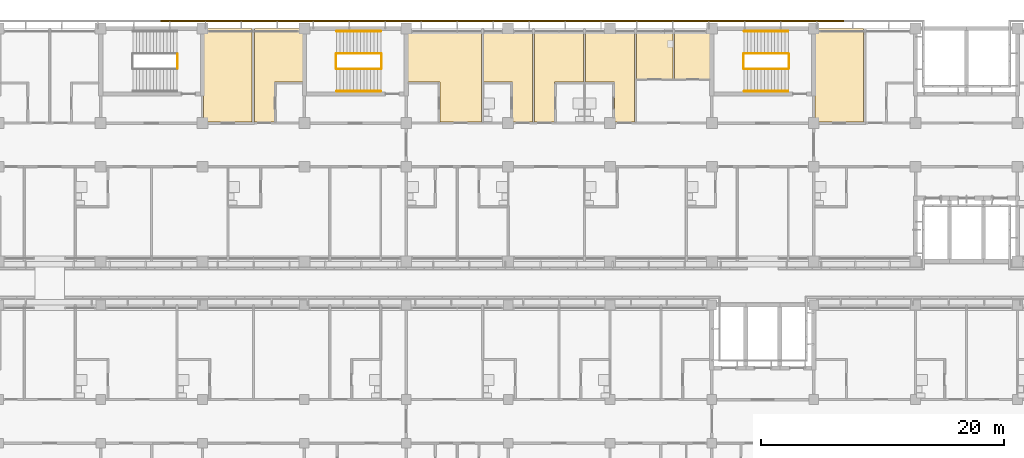
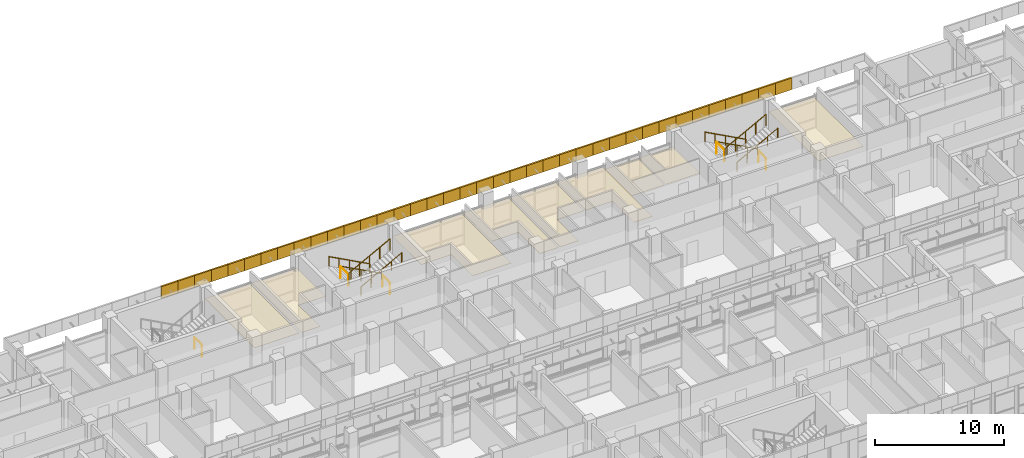
# One storey, part 135 of 137: 47 coverings, 13 railings.
"""IFC4 building model written with IfcOpenShell, lengths in metres."""

import ifcopenshell
import ifcopenshell.guid

model = None  # the IFC model being written
_history = None  # IfcOwnerHistory: only IFC2X3 demands one
_inside = {}  # id of a spatial element -> (the spatial element, [elements in it])
_under = {}  # id of a project, library or spatial element -> (it, [spatial elements below it])
_declared = {}  # id of a project -> (the project, [libraries it declares])
_typed = {}  # id of a type object -> (the type object, [elements of that type])
_made_of = {}  # id of a material, layer set ... -> (it, [elements and type objects made of it])


def new_model(schema):
    """Start an empty IFC model of exactly this schema.

    Asked for "IFC4X3", IfcOpenShell would pick the latest addendum, in which some entities
    have other attributes; the version numbers below select the first issue.
    IFC2X3 requires an IfcOwnerHistory on every rooted entity: one is made here for all.
    """
    global model, _history
    if schema == "IFC4X3":
        model = ifcopenshell.file(schema_version=(4, 3, 0, 0))
    else:
        model = ifcopenshell.file(schema=schema)
    _inside.clear()
    _under.clear()
    _declared.clear()
    _typed.clear()
    _made_of.clear()
    _history = None
    if model.schema == "IFC2X3":
        org = make("IfcOrganization", Name="unknown")
        user = make(
            "IfcPersonAndOrganization",
            ThePerson=make("IfcPerson", FamilyName="unknown"),
            TheOrganization=org,
        )
        app = make(
            "IfcApplication",
            ApplicationDeveloper=org,
            Version="unknown",
            ApplicationFullName="unknown",
            ApplicationIdentifier="unknown",
        )
        _history = make(
            "IfcOwnerHistory",
            OwningUser=user,
            OwningApplication=app,
            ChangeAction="ADDED",
            CreationDate=0,
        )
    return model


def make(cls, **values):
    """One entity of the class cls with the attributes given. An attribute that is None is left unset."""
    return model.create_entity(
        cls, **{name: value for name, value in values.items() if value is not None}
    )


def rooted(cls, **values):
    """An entity with a GlobalId (a new one), such as an element, a storey or a relation."""
    return make(cls, GlobalId=ifcopenshell.guid.new(), OwnerHistory=_history, **values)


def si_unit(unit_type, name, prefix=None):
    """IfcSIUnit, for example si_unit("LENGTHUNIT", "METRE", prefix="MILLI")."""
    return make("IfcSIUnit", UnitType=unit_type, Prefix=prefix, Name=name)


def assignment(units):
    """IfcUnitAssignment: the units of a project."""
    return None if units is None else make("IfcUnitAssignment", Units=units)


def point(xyz):
    """IfcCartesianPoint."""
    return None if xyz is None else make("IfcCartesianPoint", Coordinates=xyz)


def direction(xyz):
    """IfcDirection."""
    return None if xyz is None else make("IfcDirection", DirectionRatios=xyz)


def frame(location, z_axis=None, x_axis=None):
    """IfcAxis2Placement3D, a coordinate frame: its origin and axes. An axis left out is left unset."""
    return make(
        "IfcAxis2Placement3D",
        Location=point(location),
        Axis=direction(z_axis),
        RefDirection=direction(x_axis),
    )


def frame_2d(location, x_axis=None):
    """IfcAxis2Placement2D, a coordinate frame in the plane: its origin and x axis."""
    return make(
        "IfcAxis2Placement2D", Location=point(location), RefDirection=direction(x_axis)
    )


def origin():
    """The frame at (0, 0, 0) with its axes left unset."""
    return frame((0.0, 0.0, 0.0))


def origin_2d():
    """The frame at (0, 0) in the plane with its x axis left unset."""
    return frame_2d((0.0, 0.0))


def place(relative_to, where):
    """IfcLocalPlacement: puts the frame where relative to a parent placement (None: the world)."""
    return make(
        "IfcLocalPlacement", PlacementRelTo=relative_to, RelativePlacement=where
    )


def context(
    kind, dimensions, precision=None, world=None, true_north=None, identifier=None
):
    """IfcGeometricRepresentationContext, for example the 3D "Model" context."""
    return make(
        "IfcGeometricRepresentationContext",
        ContextIdentifier=identifier,
        ContextType=kind,
        CoordinateSpaceDimension=dimensions,
        Precision=precision,
        WorldCoordinateSystem=world,
        TrueNorth=true_north,
    )


def subcontext(parent, identifier, kind, view, scale=None):
    """IfcGeometricRepresentationSubContext, for example "Body" below "Model"."""
    return make(
        "IfcGeometricRepresentationSubContext",
        ContextIdentifier=identifier,
        ContextType=kind,
        ParentContext=parent,
        TargetScale=scale,
        TargetView=view,
    )


def project(units=None, contexts=None):
    """IfcProject with its units and contexts."""
    return rooted(
        "IfcProject",
        Name="project",
        RepresentationContexts=contexts,
        UnitsInContext=assignment(units),
    )


def spatial(cls, under=None, at=None, **own):
    """A site, building, storey or space (cls), placed at a placement, below another one or the project."""
    s = rooted(cls, ObjectPlacement=at, **own)
    if under is not None:
        _under.setdefault(under.id(), (under, []))[1].append(s)
    return s


def polyline(points):
    """IfcPolyline through the points."""
    return make("IfcPolyline", Points=[point(p) for p in points])


def profile(cls, at=None, kind="AREA", **sizes):
    """A parametric profile (cls). Its sizes go by their IFC names, for example OverallWidth=200.0."""
    return make(cls, ProfileType=kind, Position=at, **sizes)


def circle(**sizes):
    """IfcCircleProfileDef."""
    return profile("IfcCircleProfileDef", **sizes)


def outline(outer, holes=None, kind="AREA"):
    """IfcArbitraryClosedProfileDef: a profile drawn as a closed curve; with holes, ...WithVoids."""
    if holes is None:
        return make("IfcArbitraryClosedProfileDef", ProfileType=kind, OuterCurve=outer)
    return make(
        "IfcArbitraryProfileDefWithVoids",
        ProfileType=kind,
        OuterCurve=outer,
        InnerCurves=holes,
    )


def extrude(swept, where, along, depth):
    """IfcExtrudedAreaSolid: the profile swept, set in the frame where, extruded along a direction by depth."""
    return make(
        "IfcExtrudedAreaSolid",
        SweptArea=swept,
        Position=where,
        ExtrudedDirection=direction(along),
        Depth=depth,
    )


def shape(context_of_items, identifier, shape_type, items):
    """IfcShapeRepresentation: the items that make up one representation, for example the "Body"."""
    return make(
        "IfcShapeRepresentation",
        ContextOfItems=context_of_items,
        RepresentationIdentifier=identifier,
        RepresentationType=shape_type,
        Items=items,
    )


def material(Name=None, Category=None):
    """IfcMaterial."""
    return make("IfcMaterial", Name=Name, Category=Category)


def layer(
    of_material, thickness, ventilated=None, Name=None, Category=None, Priority=None
):
    """IfcMaterialLayer: one layer of a wall or slab, of a material (None: an air gap)."""
    return make(
        "IfcMaterialLayer",
        Material=of_material,
        LayerThickness=thickness,
        IsVentilated=ventilated,
        Name=Name,
        Category=Category,
        Priority=Priority,
    )


def layer_set(layers, Name=None):
    """IfcMaterialLayerSet."""
    return make("IfcMaterialLayerSet", MaterialLayers=layers, LayerSetName=Name)


def made_of(thing, what):
    """Note that an element or type object is made of a material, layer set ...; save() writes the relation."""
    if what is not None:
        _made_of.setdefault(what.id(), (what, []))[1].append(thing)
    return thing


def type_object(cls, material=None, **own):
    """A type object (cls), such as IfcWallType, which elements share."""
    return made_of(rooted(cls, **own), material)


def element(
    cls,
    number,
    at=None,
    inside=None,
    cuts=None,
    type_object=None,
    material=None,
    context=None,
    identifier="Body",
    shape_type=None,
    held_by="IfcProductDefinitionShape",
    body=None,
    shapes=None,
    **own,
):
    """One element of the class cls, such as IfcWall. Its Tag is "e" and its number.

    at: its placement. inside: the storey or other place that contains it. cuts: it is an
    opening in that element (IfcRelVoidsElement). A single representation is given by context,
    identifier, shape_type and body (its items); several are given by shapes. held_by: the class
    of the entity that holds the representations. save() writes the other relations.
    """
    e = rooted(cls, Tag="e%d" % number, ObjectPlacement=at, **own)
    if body is not None:
        shapes = [shape(context, identifier, shape_type, body)]
    if shapes is not None:
        e.Representation = make(held_by, Representations=shapes)
    if inside is not None:
        _inside.setdefault(inside.id(), (inside, []))[1].append(e)
    if cuts is not None:
        rooted(
            "IfcRelVoidsElement", RelatingBuildingElement=cuts, RelatedOpeningElement=e
        )
    if type_object is not None:
        _typed.setdefault(type_object.id(), (type_object, []))[1].append(e)
    return made_of(e, material)


def aggregate(whole, parts):
    """IfcRelAggregates: a whole, such as a stair, and the parts it consists of."""
    return rooted("IfcRelAggregates", RelatingObject=whole, RelatedObjects=parts)


def save(model, path):
    """Write the relations noted so far, then the file.

    IfcRelAggregates (storeys below a building ...), IfcRelContainedInSpatialStructure (elements
    in a storey), IfcRelDefinesByType, IfcRelAssociatesMaterial and IfcRelDeclares: one each for
    every whole, place, type object, material and project.
    """
    for whole, parts in _under.values():
        aggregate(whole, parts)
    for where, things in _inside.values():
        rooted(
            "IfcRelContainedInSpatialStructure",
            RelatedElements=things,
            RelatingStructure=where,
        )
    for kind, things in _typed.values():
        rooted("IfcRelDefinesByType", RelatedObjects=things, RelatingType=kind)
    for what, things in _made_of.values():
        rooted("IfcRelAssociatesMaterial", RelatedObjects=things, RelatingMaterial=what)
    for by, libraries in _declared.values():
        rooted("IfcRelDeclares", RelatingContext=by, RelatedDefinitions=libraries)
    model.write(path)


model = new_model("IFC4")

# Units and contexts
model_context = context("Model", 3, precision=1e-05, world=origin(), true_north=direction((0.0, 1.0)))
body_context = subcontext(model_context, "Body", "Model", "MODEL_VIEW")
ifc_project = project(units=[si_unit("LENGTHUNIT", "METRE"), si_unit("AREAUNIT", "SQUARE_METRE"), si_unit("VOLUMEUNIT", "CUBIC_METRE"), si_unit("PLANEANGLEUNIT", "RADIAN"), si_unit("MASSUNIT", "GRAM", prefix="KILO")], contexts=[model_context])

# Site, building, storey
site_placement = place(None, origin())
site = spatial("IfcSite", under=ifc_project, at=site_placement, CompositionType="ELEMENT")
building_placement = place(site_placement, origin())
building = spatial("IfcBuilding", under=site, at=building_placement, Name="Bougainvillea Quay General Hospital", CompositionType="ELEMENT")
storey_placement = place(building_placement, frame((0.0, 0.0, 16.800048828125)))
storey = spatial("IfcBuildingStorey", under=building, at=storey_placement, Name="L03", CompositionType="ELEMENT", Elevation=16.800048828125)

# Coverings
ifc_material_1 = material(Name="Powder-coated aluminium fascia, white", Category="aluminium")
ifc_layer_1 = layer(ifc_material_1, 0.14990234375)
ifc_layer_set_1 = layer_set([ifc_layer_1], Name="Powder-coated aluminium fascia, white")
covering_type_1 = type_object("IfcCoveringType", Name="Aluminium fascia band white 150x1100", PredefinedType="CLADDING", material=ifc_layer_set_1)
covering_1_placement = place(storey_placement, frame((145.2705078125, 160.14990234375, 3.64990234375), z_axis=(0.0, 0.0, 1.0), x_axis=(-1.0, 0.0, 0.0)))
element("IfcCovering", 1, at=covering_1_placement, inside=storey, type_object=covering_type_1, Name="Fascia band white e0 88", PredefinedType="CLADDING", context=body_context, shape_type="SweptSolid", body=[
    extrude(outline(polyline([(0.0, 0.0), (1.482177734375, 0.0), (1.482177734375, -0.150146484375), (0.0, -0.150146484375), (0.0, 0.0)])), origin(), (0.0, 0.0, 1.0), 1.10009765625),
])
for number, where, z_axis, x_axis, name in (
    (2, (143.788330078125, 160.14990234375, 3.64990234375), (0.0, 0.0, 1.0), (-1.0, 0.0, 0.0), "Fascia band white e0 89"),
    (3, (142.305908203125, 160.14990234375, 3.64990234375), (0.0, 0.0, 1.0), (-1.0, 0.0, 0.0), "Fascia band white e0 90"),
    (4, (140.823486328125, 160.14990234375, 3.64990234375), (0.0, 0.0, 1.0), (-1.0, 0.0, 0.0), "Fascia band white e0 91"),
):
    element("IfcCovering", number, at=place(storey_placement, frame(where, z_axis=z_axis, x_axis=x_axis)), inside=storey, type_object=covering_type_1, Name=name, PredefinedType="CLADDING", context=body_context, shape_type="SweptSolid", body=[
        extrude(outline(polyline([(0.0, 0.0), (1.482421875, 0.0), (1.482421875, -0.150146484375), (0.0, -0.150146484375), (0.0, 0.0)])), origin(), (0.0, 0.0, 1.0), 1.10009765625),
    ])
covering_2_placement = place(storey_placement, frame((139.341064453125, 160.14990234375, 3.64990234375), z_axis=(0.0, 0.0, 1.0), x_axis=(-1.0, 0.0, 0.0)))
element("IfcCovering", 5, at=covering_2_placement, inside=storey, type_object=covering_type_1, Name="Fascia band white e0 92", PredefinedType="CLADDING", context=body_context, shape_type="SweptSolid", body=[
    extrude(outline(polyline([(0.0, 0.0), (1.482177734375, 0.0), (1.482177734375, -0.150146484375), (0.0, -0.150146484375), (0.0, 0.0)])), origin(), (0.0, 0.0, 1.0), 1.10009765625),
])
for number, where, z_axis, x_axis, name in (
    (6, (137.85888671875, 160.14990234375, 3.64990234375), (0.0, 0.0, 1.0), (-1.0, 0.0, 0.0), "Fascia band white e0 93"),
    (7, (136.37646484375, 160.14990234375, 3.64990234375), (0.0, 0.0, 1.0), (-1.0, 0.0, 0.0), "Fascia band white e0 94"),
):
    element("IfcCovering", number, at=place(storey_placement, frame(where, z_axis=z_axis, x_axis=x_axis)), inside=storey, type_object=covering_type_1, Name=name, PredefinedType="CLADDING", context=body_context, shape_type="SweptSolid", body=[
        extrude(outline(polyline([(0.0, 0.0), (1.482421875, 0.0), (1.482421875, -0.150146484375), (0.0, -0.150146484375), (0.0, 0.0)])), origin(), (0.0, 0.0, 1.0), 1.10009765625),
    ])
covering_3_placement = place(storey_placement, frame((134.89404296875, 160.14990234375, 3.64990234375), z_axis=(0.0, 0.0, 1.0), x_axis=(-1.0, 0.0, 0.0)))
element("IfcCovering", 8, at=covering_3_placement, inside=storey, type_object=covering_type_1, Name="Fascia band white e0 95", PredefinedType="CLADDING", context=body_context, shape_type="SweptSolid", body=[
    extrude(outline(polyline([(0.0, 0.0), (1.482177734375, 0.0), (1.482177734375, -0.150146484375), (0.0, -0.150146484375), (0.0, 0.0)])), origin(), (0.0, 0.0, 1.0), 1.10009765625),
])
for number, where, z_axis, x_axis, name in (
    (9, (133.411865234375, 160.14990234375, 3.64990234375), (0.0, 0.0, 1.0), (-1.0, 0.0, 0.0), "Fascia band white e0 96"),
    (10, (131.929443359375, 160.14990234375, 3.64990234375), (0.0, 0.0, 1.0), (-1.0, 0.0, 0.0), "Fascia band white e0 97"),
    (11, (130.447021484375, 160.14990234375, 3.64990234375), (0.0, 0.0, 1.0), (-1.0, 0.0, 0.0), "Fascia band white e0 98"),
):
    element("IfcCovering", number, at=place(storey_placement, frame(where, z_axis=z_axis, x_axis=x_axis)), inside=storey, type_object=covering_type_1, Name=name, PredefinedType="CLADDING", context=body_context, shape_type="SweptSolid", body=[
        extrude(outline(polyline([(0.0, 0.0), (1.482421875, 0.0), (1.482421875, -0.150146484375), (0.0, -0.150146484375), (0.0, 0.0)])), origin(), (0.0, 0.0, 1.0), 1.10009765625),
    ])
covering_4_placement = place(storey_placement, frame((128.964599609375, 160.14990234375, 3.64990234375), z_axis=(0.0, 0.0, 1.0), x_axis=(-1.0, 0.0, 0.0)))
element("IfcCovering", 12, at=covering_4_placement, inside=storey, type_object=covering_type_1, Name="Fascia band white e0 99", PredefinedType="CLADDING", context=body_context, shape_type="SweptSolid", body=[
    extrude(outline(polyline([(0.0, 0.0), (1.482177734375, 0.0), (1.482177734375, -0.150146484375), (0.0, -0.150146484375), (0.0, 0.0)])), origin(), (0.0, 0.0, 1.0), 1.10009765625),
])
for number, where, z_axis, x_axis, name in (
    (13, (127.482421875, 160.14990234375, 3.64990234375), (0.0, 0.0, 1.0), (-1.0, 0.0, 0.0), "Fascia band white e0 100"),
    (14, (126.0, 160.14990234375, 3.64990234375), (0.0, 0.0, 1.0), (-1.0, 0.0, 0.0), "Fascia band white e0 101"),
):
    element("IfcCovering", number, at=place(storey_placement, frame(where, z_axis=z_axis, x_axis=x_axis)), inside=storey, type_object=covering_type_1, Name=name, PredefinedType="CLADDING", context=body_context, shape_type="SweptSolid", body=[
        extrude(outline(polyline([(0.0, 0.0), (1.482421875, 0.0), (1.482421875, -0.150146484375), (0.0, -0.150146484375), (0.0, 0.0)])), origin(), (0.0, 0.0, 1.0), 1.10009765625),
    ])
covering_5_placement = place(storey_placement, frame((124.517578125, 160.14990234375, 3.64990234375), z_axis=(0.0, 0.0, 1.0), x_axis=(-1.0, 0.0, 0.0)))
element("IfcCovering", 15, at=covering_5_placement, inside=storey, type_object=covering_type_1, Name="Fascia band white e0 102", PredefinedType="CLADDING", context=body_context, shape_type="SweptSolid", body=[
    extrude(outline(polyline([(0.0, 0.0), (1.482177734375, 0.0), (1.482177734375, -0.150146484375), (0.0, -0.150146484375), (0.0, 0.0)])), origin(), (0.0, 0.0, 1.0), 1.10009765625),
])
for number, where, z_axis, x_axis, name in (
    (16, (123.035400390625, 160.14990234375, 3.64990234375), (0.0, 0.0, 1.0), (-1.0, 0.0, 0.0), "Fascia band white e0 103"),
    (17, (121.552978515625, 160.14990234375, 3.64990234375), (0.0, 0.0, 1.0), (-1.0, 0.0, 0.0), "Fascia band white e0 104"),
    (18, (120.070556640625, 160.14990234375, 3.64990234375), (0.0, 0.0, 1.0), (-1.0, 0.0, 0.0), "Fascia band white e0 105"),
):
    element("IfcCovering", number, at=place(storey_placement, frame(where, z_axis=z_axis, x_axis=x_axis)), inside=storey, type_object=covering_type_1, Name=name, PredefinedType="CLADDING", context=body_context, shape_type="SweptSolid", body=[
        extrude(outline(polyline([(0.0, 0.0), (1.482421875, 0.0), (1.482421875, -0.150146484375), (0.0, -0.150146484375), (0.0, 0.0)])), origin(), (0.0, 0.0, 1.0), 1.10009765625),
    ])
covering_6_placement = place(storey_placement, frame((118.588134765625, 160.14990234375, 3.64990234375), z_axis=(0.0, 0.0, 1.0), x_axis=(-1.0, 0.0, 0.0)))
element("IfcCovering", 19, at=covering_6_placement, inside=storey, type_object=covering_type_1, Name="Fascia band white e0 106", PredefinedType="CLADDING", context=body_context, shape_type="SweptSolid", body=[
    extrude(outline(polyline([(0.0, 0.0), (1.482177734375, 0.0), (1.482177734375, -0.150146484375), (0.0, -0.150146484375), (0.0, 0.0)])), origin(), (0.0, 0.0, 1.0), 1.10009765625),
])
for number, where, z_axis, x_axis, name in (
    (20, (117.10595703125, 160.14990234375, 3.64990234375), (0.0, 0.0, 1.0), (-1.0, 0.0, 0.0), "Fascia band white e0 107"),
    (21, (115.62353515625, 160.14990234375, 3.64990234375), (0.0, 0.0, 1.0), (-1.0, 0.0, 0.0), "Fascia band white e0 108"),
):
    element("IfcCovering", number, at=place(storey_placement, frame(where, z_axis=z_axis, x_axis=x_axis)), inside=storey, type_object=covering_type_1, Name=name, PredefinedType="CLADDING", context=body_context, shape_type="SweptSolid", body=[
        extrude(outline(polyline([(0.0, 0.0), (1.482421875, 0.0), (1.482421875, -0.150146484375), (0.0, -0.150146484375), (0.0, 0.0)])), origin(), (0.0, 0.0, 1.0), 1.10009765625),
    ])
covering_7_placement = place(storey_placement, frame((114.14111328125, 160.14990234375, 3.64990234375), z_axis=(0.0, 0.0, 1.0), x_axis=(-1.0, 0.0, 0.0)))
element("IfcCovering", 22, at=covering_7_placement, inside=storey, type_object=covering_type_1, Name="Fascia band white e0 109", PredefinedType="CLADDING", context=body_context, shape_type="SweptSolid", body=[
    extrude(outline(polyline([(0.0, 0.0), (1.482177734375, 0.0), (1.482177734375, -0.150146484375), (0.0, -0.150146484375), (0.0, 0.0)])), origin(), (0.0, 0.0, 1.0), 1.10009765625),
])
for number, where, z_axis, x_axis, name in (
    (23, (112.658935546875, 160.14990234375, 3.64990234375), (0.0, 0.0, 1.0), (-1.0, 0.0, 0.0), "Fascia band white e0 110"),
    (24, (111.176513671875, 160.14990234375, 3.64990234375), (0.0, 0.0, 1.0), (-1.0, 0.0, 0.0), "Fascia band white e0 111"),
    (25, (109.694091796875, 160.14990234375, 3.64990234375), (0.0, 0.0, 1.0), (-1.0, 0.0, 0.0), "Fascia band white e0 112"),
):
    element("IfcCovering", number, at=place(storey_placement, frame(where, z_axis=z_axis, x_axis=x_axis)), inside=storey, type_object=covering_type_1, Name=name, PredefinedType="CLADDING", context=body_context, shape_type="SweptSolid", body=[
        extrude(outline(polyline([(0.0, 0.0), (1.482421875, 0.0), (1.482421875, -0.150146484375), (0.0, -0.150146484375), (0.0, 0.0)])), origin(), (0.0, 0.0, 1.0), 1.10009765625),
    ])
covering_8_placement = place(storey_placement, frame((108.211669921875, 160.14990234375, 3.64990234375), z_axis=(0.0, 0.0, 1.0), x_axis=(-1.0, 0.0, 0.0)))
element("IfcCovering", 26, at=covering_8_placement, inside=storey, type_object=covering_type_1, Name="Fascia band white e0 113", PredefinedType="CLADDING", context=body_context, shape_type="SweptSolid", body=[
    extrude(outline(polyline([(0.0, 0.0), (1.482177734375, 0.0), (1.482177734375, -0.150146484375), (0.0, -0.150146484375), (0.0, 0.0)])), origin(), (0.0, 0.0, 1.0), 1.10009765625),
])
for number, where, z_axis, x_axis, name in (
    (27, (106.7294921875, 160.14990234375, 3.64990234375), (0.0, 0.0, 1.0), (-1.0, 0.0, 0.0), "Fascia band white e0 114"),
    (28, (105.2470703125, 160.14990234375, 3.64990234375), (0.0, 0.0, 1.0), (-1.0, 0.0, 0.0), "Fascia band white e0 115"),
):
    element("IfcCovering", number, at=place(storey_placement, frame(where, z_axis=z_axis, x_axis=x_axis)), inside=storey, type_object=covering_type_1, Name=name, PredefinedType="CLADDING", context=body_context, shape_type="SweptSolid", body=[
        extrude(outline(polyline([(0.0, 0.0), (1.482421875, 0.0), (1.482421875, -0.150146484375), (0.0, -0.150146484375), (0.0, 0.0)])), origin(), (0.0, 0.0, 1.0), 1.10009765625),
    ])
covering_9_placement = place(storey_placement, frame((103.7646484375, 160.14990234375, 3.64990234375), z_axis=(0.0, 0.0, 1.0), x_axis=(-1.0, 0.0, 0.0)))
element("IfcCovering", 29, at=covering_9_placement, inside=storey, type_object=covering_type_1, Name="Fascia band white e0 116", PredefinedType="CLADDING", context=body_context, shape_type="SweptSolid", body=[
    extrude(outline(polyline([(0.0, 0.0), (1.482177734375, 0.0), (1.482177734375, -0.150146484375), (0.0, -0.150146484375), (0.0, 0.0)])), origin(), (0.0, 0.0, 1.0), 1.10009765625),
])
for number, where, z_axis, x_axis, name in (
    (30, (102.282470703125, 160.14990234375, 3.64990234375), (0.0, 0.0, 1.0), (-1.0, 0.0, 0.0), "Fascia band white e0 117"),
    (31, (100.800048828125, 160.14990234375, 3.64990234375), (0.0, 0.0, 1.0), (-1.0, 0.0, 0.0), "Fascia band white e0 118"),
    (32, (99.317626953125, 160.14990234375, 3.64990234375), (0.0, 0.0, 1.0), (-1.0, 0.0, 0.0), "Fascia band white e0 119"),
):
    element("IfcCovering", number, at=place(storey_placement, frame(where, z_axis=z_axis, x_axis=x_axis)), inside=storey, type_object=covering_type_1, Name=name, PredefinedType="CLADDING", context=body_context, shape_type="SweptSolid", body=[
        extrude(outline(polyline([(0.0, 0.0), (1.482421875, 0.0), (1.482421875, -0.150146484375), (0.0, -0.150146484375), (0.0, 0.0)])), origin(), (0.0, 0.0, 1.0), 1.10009765625),
    ])
covering_10_placement = place(storey_placement, frame((97.835205078125, 160.14990234375, 3.64990234375), z_axis=(0.0, 0.0, 1.0), x_axis=(-1.0, 0.0, 0.0)))
element("IfcCovering", 33, at=covering_10_placement, inside=storey, type_object=covering_type_1, Name="Fascia band white e0 120", PredefinedType="CLADDING", context=body_context, shape_type="SweptSolid", body=[
    extrude(outline(polyline([(0.0, 0.0), (1.482177734375, 0.0), (1.482177734375, -0.150146484375), (0.0, -0.150146484375), (0.0, 0.0)])), origin(), (0.0, 0.0, 1.0), 1.10009765625),
])
for number, where, z_axis, x_axis, name in (
    (34, (96.35302734375, 160.14990234375, 3.64990234375), (0.0, 0.0, 1.0), (-1.0, 0.0, 0.0), "Fascia band white e0 121"),
    (35, (94.87060546875, 160.14990234375, 3.64990234375), (0.0, 0.0, 1.0), (-1.0, 0.0, 0.0), "Fascia band white e0 122"),
    (36, (93.38818359375, 160.14990234375, 3.64990234375), (0.0, 0.0, 1.0), (-1.0, 0.0, 0.0), "Fascia band white e0 123"),
):
    element("IfcCovering", number, at=place(storey_placement, frame(where, z_axis=z_axis, x_axis=x_axis)), inside=storey, type_object=covering_type_1, Name=name, PredefinedType="CLADDING", context=body_context, shape_type="SweptSolid", body=[
        extrude(outline(polyline([(0.0, 0.0), (1.482421875, 0.0), (1.482421875, -0.150146484375), (0.0, -0.150146484375), (0.0, 0.0)])), origin(), (0.0, 0.0, 1.0), 1.10009765625),
    ])
covering_11_placement = place(storey_placement, frame((91.90576171875, 160.14990234375, 3.64990234375), z_axis=(0.0, 0.0, 1.0), x_axis=(-1.0, 0.0, 0.0)))
element("IfcCovering", 37, at=covering_11_placement, inside=storey, type_object=covering_type_1, Name="Fascia band white e0 124", PredefinedType="CLADDING", context=body_context, shape_type="SweptSolid", body=[
    extrude(outline(polyline([(0.0, 0.0), (1.482177734375, 0.0), (1.482177734375, -0.150146484375), (0.0, -0.150146484375), (0.0, 0.0)])), origin(), (0.0, 0.0, 1.0), 1.10009765625),
])
covering_12_placement = place(storey_placement, frame((90.423583984375, 160.14990234375, 3.64990234375), z_axis=(0.0, 0.0, 1.0), x_axis=(-1.0, 0.0, 0.0)))
element("IfcCovering", 38, at=covering_12_placement, inside=storey, type_object=covering_type_1, Name="Fascia band white e0 125", PredefinedType="CLADDING", context=body_context, shape_type="SweptSolid", body=[
    extrude(outline(polyline([(0.0, 0.0), (1.482421875, 0.0), (1.482421875, -0.150146484375), (0.0, -0.150146484375), (0.0, 0.0)])), origin(), (0.0, 0.0, 1.0), 1.10009765625),
])

# Railings
ifc_material_2 = material(Name="Stainless steel 304 balustrade", Category="steel")
railing_type_1 = type_object("IfcRailingType", Name="Stair guard 1100", PredefinedType="GUARDRAIL", material=ifc_material_2)
railing_1_placement = place(storey_placement, frame((90.35009765625, 157.5, 0.0)))
element("IfcRailing", 39, at=railing_1_placement, inside=storey, type_object=railing_type_1, Name="L03 ST-A2 stair guard 4", PredefinedType="GUARDRAIL", context=body_context, shape_type="SweptSolid", body=[
    extrude(circle(Radius=0.02392578125, at=origin_2d()), frame((0.0, 0.0, 1.076171875), z_axis=(0.0, -1.0, 0.0), x_axis=(1.0, 0.0, 0.0)), (0.0, 0.0, 1.0), 1.199951171875),
    extrude(circle(Radius=0.02099609375, at=origin_2d()), origin(), (0.0, 0.0, 1.0), 1.052001953125),
    extrude(circle(Radius=0.02099609375, at=origin_2d()), frame((0.0, -1.199951171875, 0.0)), (0.0, 0.0, 1.0), 1.052001953125),
])
railing_2_placement = place(storey_placement, frame((140.699951171875, 157.550048828125, 0.14990234375)))
element("IfcRailing", 40, at=railing_2_placement, inside=storey, type_object=railing_type_1, Name="L03 ST-A3 stair guard 1", PredefinedType="GUARDRAIL", context=body_context, shape_type="SweptSolid", body=[
    extrude(circle(Radius=0.02392578125, at=origin_2d()), frame((0.0, 0.0, 1.076171875), z_axis=(-0.881479091078, 0.0, 0.472223053219), x_axis=(0.0, -1.0, 0.0)), (0.0, 0.0, 1.0), 4.12939453125),
    extrude(circle(Radius=0.02099609375, at=origin_2d()), origin(), (0.0, 0.0, 1.0), 1.052001953125),
    extrude(circle(Radius=0.02099609375, at=origin_2d()), frame((-0.909912109375, 0.0, 0.487548828125)), (0.0, 0.0, 1.0), 1.052001953125),
    extrude(circle(Radius=0.02099609375, at=origin_2d()), frame((-1.81982421875, 0.0, 0.97509765625)), (0.0, 0.0, 1.0), 1.052001953125),
    extrude(circle(Radius=0.02099609375, at=origin_2d()), frame((-2.72998046875, 0.0, 1.46240234375)), (0.0, 0.0, 1.0), 1.052001953125),
    extrude(circle(Radius=0.02099609375, at=origin_2d()), frame((-3.639892578125, 0.0, 1.949951171875)), (0.0, 0.0, 1.0), 1.052001953125),
])
railing_3_placement = place(storey_placement, frame((137.010009765625, 157.5, 2.099853515625)))
element("IfcRailing", 41, at=railing_3_placement, inside=storey, type_object=railing_type_1, Name="L03 ST-A3 stair guard 2", PredefinedType="GUARDRAIL", context=body_context, shape_type="SweptSolid", body=[
    extrude(circle(Radius=0.02392578125, at=origin_2d()), frame((0.0, 0.0, 1.076171875), z_axis=(0.0, -1.0, 0.0), x_axis=(1.0, 0.0, 0.0)), (0.0, 0.0, 1.0), 1.199951171875),
    extrude(circle(Radius=0.02099609375, at=origin_2d()), origin(), (0.0, 0.0, 1.0), 1.052001953125),
    extrude(circle(Radius=0.02099609375, at=origin_2d()), frame((0.0, -1.199951171875, 0.0)), (0.0, 0.0, 1.0), 1.052001953125),
])
railing_4_placement = place(storey_placement, frame((137.06005859375, 156.25, 2.25)))
element("IfcRailing", 42, at=railing_4_placement, inside=storey, type_object=railing_type_1, Name="L03 ST-A3 stair guard 3", PredefinedType="GUARDRAIL", context=body_context, shape_type="SweptSolid", body=[
    extrude(circle(Radius=0.02392578125, at=origin_2d()), frame((0.0, 0.0, 1.076171875), z_axis=(0.881479091078, 0.0, 0.472223053219), x_axis=(0.0, 1.0, 0.0)), (0.0, 0.0, 1.0), 4.12939453125),
    extrude(circle(Radius=0.02099609375, at=origin_2d()), origin(), (0.0, 0.0, 1.0), 1.052001953125),
    extrude(circle(Radius=0.02099609375, at=origin_2d()), frame((0.909912109375, 0.0, 0.487548828125)), (0.0, 0.0, 1.0), 1.052001953125),
    extrude(circle(Radius=0.02099609375, at=origin_2d()), frame((1.81982421875, 0.0, 0.97509765625)), (0.0, 0.0, 1.0), 1.052001953125),
    extrude(circle(Radius=0.02099609375, at=origin_2d()), frame((2.72998046875, 0.0, 1.46240234375)), (0.0, 0.0, 1.0), 1.052001953125),
    extrude(circle(Radius=0.02099609375, at=origin_2d()), frame((3.639892578125, 0.0, 1.949951171875)), (0.0, 0.0, 1.0), 1.052001953125),
])
railing_5_placement = place(storey_placement, frame((140.75, 157.5, 0.0)))
element("IfcRailing", 43, at=railing_5_placement, inside=storey, type_object=railing_type_1, Name="L03 ST-A3 stair guard 4", PredefinedType="GUARDRAIL", context=body_context, shape_type="SweptSolid", body=[
    extrude(circle(Radius=0.02392578125, at=origin_2d()), frame((0.0, 0.0, 1.076171875), z_axis=(0.0, -1.0, 0.0), x_axis=(1.0, 0.0, 0.0)), (0.0, 0.0, 1.0), 1.199951171875),
    extrude(circle(Radius=0.02099609375, at=origin_2d()), origin(), (0.0, 0.0, 1.0), 1.052001953125),
    extrude(circle(Radius=0.02099609375, at=origin_2d()), frame((0.0, -1.199951171875, 0.0)), (0.0, 0.0, 1.0), 1.052001953125),
])
railing_6_placement = place(storey_placement, frame((107.10009765625, 157.550048828125, 0.14990234375)))
element("IfcRailing", 44, at=railing_6_placement, inside=storey, type_object=railing_type_1, Name="L03 ST-A5 stair guard 1", PredefinedType="GUARDRAIL", context=body_context, shape_type="SweptSolid", body=[
    extrude(circle(Radius=0.02392578125, at=origin_2d()), frame((0.0, 0.0, 1.076171875), z_axis=(-0.881492274372, 0.0, 0.472198443689), x_axis=(0.0, -1.0, 0.0)), (0.0, 0.0, 1.0), 4.12939453125),
    extrude(circle(Radius=0.02099609375, at=origin_2d()), origin(), (0.0, 0.0, 1.0), 1.052001953125),
    extrude(circle(Radius=0.02099609375, at=origin_2d()), frame((-0.91015625, 0.0, 0.487548828125)), (0.0, 0.0, 1.0), 1.052001953125),
    extrude(circle(Radius=0.02099609375, at=origin_2d()), frame((-1.820068359375, 0.0, 0.97509765625)), (0.0, 0.0, 1.0), 1.052001953125),
    extrude(circle(Radius=0.02099609375, at=origin_2d()), frame((-2.72998046875, 0.0, 1.46240234375)), (0.0, 0.0, 1.0), 1.052001953125),
    extrude(circle(Radius=0.02099609375, at=origin_2d()), frame((-3.64013671875, 0.0, 1.949951171875)), (0.0, 0.0, 1.0), 1.052001953125),
])
railing_7_placement = place(storey_placement, frame((103.409912109375, 157.5, 2.099853515625)))
element("IfcRailing", 45, at=railing_7_placement, inside=storey, type_object=railing_type_1, Name="L03 ST-A5 stair guard 2", PredefinedType="GUARDRAIL", context=body_context, shape_type="SweptSolid", body=[
    extrude(circle(Radius=0.02392578125, at=origin_2d()), frame((0.0, 0.0, 1.076171875), z_axis=(0.0, -1.0, 0.0), x_axis=(1.0, 0.0, 0.0)), (0.0, 0.0, 1.0), 1.199951171875),
    extrude(circle(Radius=0.02099609375, at=origin_2d()), origin(), (0.0, 0.0, 1.0), 1.052001953125),
    extrude(circle(Radius=0.02099609375, at=origin_2d()), frame((0.0, -1.199951171875, 0.0)), (0.0, 0.0, 1.0), 1.052001953125),
])
railing_8_placement = place(storey_placement, frame((103.4599609375, 156.25, 2.25)))
element("IfcRailing", 46, at=railing_8_placement, inside=storey, type_object=railing_type_1, Name="L03 ST-A5 stair guard 3", PredefinedType="GUARDRAIL", context=body_context, shape_type="SweptSolid", body=[
    extrude(circle(Radius=0.02392578125, at=origin_2d()), frame((0.0, 0.0, 1.076171875), z_axis=(0.881492274372, 0.0, 0.472198443689), x_axis=(0.0, 1.0, 0.0)), (0.0, 0.0, 1.0), 4.12939453125),
    extrude(circle(Radius=0.02099609375, at=origin_2d()), origin(), (0.0, 0.0, 1.0), 1.052001953125),
    extrude(circle(Radius=0.02099609375, at=origin_2d()), frame((0.91015625, 0.0, 0.487548828125)), (0.0, 0.0, 1.0), 1.052001953125),
    extrude(circle(Radius=0.02099609375, at=origin_2d()), frame((1.820068359375, 0.0, 0.97509765625)), (0.0, 0.0, 1.0), 1.052001953125),
    extrude(circle(Radius=0.02099609375, at=origin_2d()), frame((2.72998046875, 0.0, 1.46240234375)), (0.0, 0.0, 1.0), 1.052001953125),
    extrude(circle(Radius=0.02099609375, at=origin_2d()), frame((3.64013671875, 0.0, 1.949951171875)), (0.0, 0.0, 1.0), 1.052001953125),
])
railing_9_placement = place(storey_placement, frame((107.14990234375, 157.5, 0.0)))
element("IfcRailing", 47, at=railing_9_placement, inside=storey, type_object=railing_type_1, Name="L03 ST-A5 stair guard 4", PredefinedType="GUARDRAIL", context=body_context, shape_type="SweptSolid", body=[
    extrude(circle(Radius=0.02392578125, at=origin_2d()), frame((0.0, 0.0, 1.076171875), z_axis=(0.0, -1.0, 0.0), x_axis=(1.0, 0.0, 0.0)), (0.0, 0.0, 1.0), 1.199951171875),
    extrude(circle(Radius=0.02099609375, at=origin_2d()), origin(), (0.0, 0.0, 1.0), 1.052001953125),
    extrude(circle(Radius=0.02099609375, at=origin_2d()), frame((0.0, -1.199951171875, 0.0)), (0.0, 0.0, 1.0), 1.052001953125),
])
ifc_material_3 = material(Name="Stainless steel 304 handrail", Category="steel")
railing_type_2 = type_object("IfcRailingType", Name="Stair handrail 900", PredefinedType="HANDRAIL", material=ifc_material_3)
railing_10_placement = place(storey_placement, frame((140.699951171875, 159.375, 0.14990234375)))
element("IfcRailing", 48, at=railing_10_placement, inside=storey, type_object=railing_type_2, Name="L03 ST-A3 stair handrail 1", PredefinedType="HANDRAIL", context=body_context, shape_type="SweptSolid", body=[
    extrude(circle(Radius=0.02392578125, at=origin_2d()), frame((0.0, 0.0, 0.8759765625), z_axis=(-0.881479091078, 0.0, 0.472223053219), x_axis=(0.0, -1.0, 0.0)), (0.0, 0.0, 1.0), 4.12939453125),
    extrude(circle(Radius=0.02099609375, at=origin_2d()), origin(), (0.0, 0.0, 1.0), 0.851806640625),
    extrude(circle(Radius=0.02099609375, at=origin_2d()), frame((-0.909912109375, 0.0, 0.487548828125)), (0.0, 0.0, 1.0), 0.851806640625),
    extrude(circle(Radius=0.02099609375, at=origin_2d()), frame((-1.81982421875, 0.0, 0.97509765625)), (0.0, 0.0, 1.0), 0.851806640625),
    extrude(circle(Radius=0.02099609375, at=origin_2d()), frame((-2.72998046875, 0.0, 1.46240234375)), (0.0, 0.0, 1.0), 0.851806640625),
    extrude(circle(Radius=0.02099609375, at=origin_2d()), frame((-3.639892578125, 0.0, 1.949951171875)), (0.0, 0.0, 1.0), 0.851806640625),
])
railing_11_placement = place(storey_placement, frame((137.06005859375, 154.425048828125, 2.25)))
element("IfcRailing", 49, at=railing_11_placement, inside=storey, type_object=railing_type_2, Name="L03 ST-A3 stair handrail 2", PredefinedType="HANDRAIL", context=body_context, shape_type="SweptSolid", body=[
    extrude(circle(Radius=0.02392578125, at=origin_2d()), frame((0.0, 0.0, 0.8759765625), z_axis=(0.881479091078, 0.0, 0.472223053219), x_axis=(0.0, 1.0, 0.0)), (0.0, 0.0, 1.0), 4.12939453125),
    extrude(circle(Radius=0.02099609375, at=origin_2d()), origin(), (0.0, 0.0, 1.0), 0.851806640625),
    extrude(circle(Radius=0.02099609375, at=origin_2d()), frame((0.909912109375, 0.0, 0.487548828125)), (0.0, 0.0, 1.0), 0.851806640625),
    extrude(circle(Radius=0.02099609375, at=origin_2d()), frame((1.81982421875, 0.0, 0.97509765625)), (0.0, 0.0, 1.0), 0.851806640625),
    extrude(circle(Radius=0.02099609375, at=origin_2d()), frame((2.72998046875, 0.0, 1.46240234375)), (0.0, 0.0, 1.0), 0.851806640625),
    extrude(circle(Radius=0.02099609375, at=origin_2d()), frame((3.639892578125, 0.0, 1.949951171875)), (0.0, 0.0, 1.0), 0.851806640625),
])
railing_12_placement = place(storey_placement, frame((107.10009765625, 159.375, 0.14990234375)))
element("IfcRailing", 50, at=railing_12_placement, inside=storey, type_object=railing_type_2, Name="L03 ST-A5 stair handrail 1", PredefinedType="HANDRAIL", context=body_context, shape_type="SweptSolid", body=[
    extrude(circle(Radius=0.02392578125, at=origin_2d()), frame((0.0, 0.0, 0.8759765625), z_axis=(-0.881492274372, 0.0, 0.472198443689), x_axis=(0.0, -1.0, 0.0)), (0.0, 0.0, 1.0), 4.12939453125),
    extrude(circle(Radius=0.02099609375, at=origin_2d()), origin(), (0.0, 0.0, 1.0), 0.851806640625),
    extrude(circle(Radius=0.02099609375, at=origin_2d()), frame((-0.91015625, 0.0, 0.487548828125)), (0.0, 0.0, 1.0), 0.851806640625),
    extrude(circle(Radius=0.02099609375, at=origin_2d()), frame((-1.820068359375, 0.0, 0.97509765625)), (0.0, 0.0, 1.0), 0.851806640625),
    extrude(circle(Radius=0.02099609375, at=origin_2d()), frame((-2.72998046875, 0.0, 1.46240234375)), (0.0, 0.0, 1.0), 0.851806640625),
    extrude(circle(Radius=0.02099609375, at=origin_2d()), frame((-3.64013671875, 0.0, 1.949951171875)), (0.0, 0.0, 1.0), 0.851806640625),
])
railing_13_placement = place(storey_placement, frame((103.4599609375, 154.425048828125, 2.25)))
element("IfcRailing", 51, at=railing_13_placement, inside=storey, type_object=railing_type_2, Name="L03 ST-A5 stair handrail 2", PredefinedType="HANDRAIL", context=body_context, shape_type="SweptSolid", body=[
    extrude(circle(Radius=0.02392578125, at=origin_2d()), frame((0.0, 0.0, 0.8759765625), z_axis=(0.881492274372, 0.0, 0.472198443689), x_axis=(0.0, 1.0, 0.0)), (0.0, 0.0, 1.0), 4.12939453125),
    extrude(circle(Radius=0.02099609375, at=origin_2d()), origin(), (0.0, 0.0, 1.0), 0.851806640625),
    extrude(circle(Radius=0.02099609375, at=origin_2d()), frame((0.91015625, 0.0, 0.487548828125)), (0.0, 0.0, 1.0), 0.851806640625),
    extrude(circle(Radius=0.02099609375, at=origin_2d()), frame((1.820068359375, 0.0, 0.97509765625)), (0.0, 0.0, 1.0), 0.851806640625),
    extrude(circle(Radius=0.02099609375, at=origin_2d()), frame((2.72998046875, 0.0, 1.46240234375)), (0.0, 0.0, 1.0), 0.851806640625),
    extrude(circle(Radius=0.02099609375, at=origin_2d()), frame((3.64013671875, 0.0, 1.949951171875)), (0.0, 0.0, 1.0), 0.851806640625),
])

# Coverings
ifc_material_4 = material(Name="Mineral fibre ceiling tile")
ifc_layer_2 = layer(ifc_material_4, 0.030029296875)
ifc_layer_set_2 = layer_set([ifc_layer_2], Name="Mineral fibre ceiling tile")
covering_type_2 = type_object("IfcCoveringType", Name="Suspended ceiling mineral fibre tile", PredefinedType="CEILING", material=ifc_layer_set_2)
covering_13_placement = place(storey_placement, frame((0.0, 0.0, 2.699951171875)))
element("IfcCovering", 52, at=covering_13_placement, inside=storey, type_object=covering_type_2, Name="Ceiling Refuge Room RR-A2-L03", PredefinedType="CEILING", context=body_context, shape_type="SweptSolid", body=[
    extrude(outline(polyline([(92.5, 159.60009765625), (92.5, 151.89990234375), (96.5, 151.89990234375), (96.5, 159.60009765625), (92.5, 159.60009765625)])), origin(), (0.0, 0.0, 1.0), 0.030029296875),
])
covering_14_placement = place(storey_placement, frame((0.0, 0.0, 2.699951171875)))
element("IfcCovering", 53, at=covering_14_placement, inside=storey, type_object=covering_type_2, Name="Ceiling Refuge Room RR-A3-L03", PredefinedType="CEILING", context=body_context, shape_type="SweptSolid", body=[
    extrude(outline(polyline([(142.89990234375, 159.60009765625), (142.89990234375, 151.89990234375), (146.89990234375, 151.89990234375), (146.89990234375, 159.60009765625), (142.89990234375, 159.60009765625)])), origin(), (0.0, 0.0, 1.0), 0.030029296875),
])
covering_15_placement = place(storey_placement, frame((0.0, 0.0, 2.699951171875)))
element("IfcCovering", 54, at=covering_15_placement, inside=storey, type_object=covering_type_2, Name="Ceiling Gynaecology Patient Room 03A16", PredefinedType="CEILING", context=body_context, shape_type="SweptSolid", body=[
    extrude(outline(polyline([(96.699951171875, 159.60009765625), (96.699951171875, 151.875), (98.324951171875, 151.875), (98.324951171875, 155.175048828125), (100.72509765625, 155.175048828125), (100.72509765625, 159.60009765625), (96.699951171875, 159.60009765625)])), origin(), (0.0, 0.0, 1.0), 0.030029296875),
])
covering_16_placement = place(storey_placement, frame((0.0, 0.0, 2.699951171875)))
element("IfcCovering", 55, at=covering_16_placement, inside=storey, type_object=covering_type_2, Name="Ceiling Paediatric Two-bed Room 03A24", PredefinedType="CEILING", context=body_context, shape_type="SweptSolid", body=[
    extrude(outline(polyline([(109.27490234375, 159.60009765625), (109.27490234375, 155.175048828125), (111.97509765625, 155.175048828125), (111.97509765625, 151.875), (115.425048828125, 151.875), (115.425048828125, 159.60009765625), (109.27490234375, 159.60009765625)])), origin(), (0.0, 0.0, 1.0), 0.030029296875),
])
covering_17_placement = place(storey_placement, frame((0.0, 0.0, 2.699951171875)))
element("IfcCovering", 56, at=covering_17_placement, inside=storey, type_object=covering_type_2, Name="Ceiling Paediatric Patient Room 03A25", PredefinedType="CEILING", context=body_context, shape_type="SweptSolid", body=[
    extrude(outline(polyline([(115.574951171875, 159.60009765625), (115.574951171875, 155.175048828125), (117.97509765625, 155.175048828125), (117.97509765625, 151.875), (119.625, 151.875), (119.625, 159.60009765625), (115.574951171875, 159.60009765625)])), origin(), (0.0, 0.0, 1.0), 0.030029296875),
])
covering_18_placement = place(storey_placement, frame((0.0, 0.0, 2.699951171875)))
element("IfcCovering", 57, at=covering_18_placement, inside=storey, type_object=covering_type_2, Name="Ceiling Paediatric Patient Room 03A26", PredefinedType="CEILING", context=body_context, shape_type="SweptSolid", body=[
    extrude(outline(polyline([(119.77490234375, 159.60009765625), (119.77490234375, 151.875), (121.425048828125, 151.875), (121.425048828125, 155.175048828125), (123.824951171875, 155.175048828125), (123.824951171875, 159.60009765625), (119.77490234375, 159.60009765625)])), origin(), (0.0, 0.0, 1.0), 0.030029296875),
])
covering_19_placement = place(storey_placement, frame((0.0, 0.0, 2.699951171875)))
element("IfcCovering", 58, at=covering_19_placement, inside=storey, type_object=covering_type_2, Name="Ceiling Paediatric Patient Room 03A27", PredefinedType="CEILING", context=body_context, shape_type="SweptSolid", body=[
    extrude(outline(polyline([(123.97509765625, 159.60009765625), (123.97509765625, 155.175048828125), (126.375, 155.175048828125), (126.375, 151.875), (128.02490234375, 151.875), (128.02490234375, 159.60009765625), (123.97509765625, 159.60009765625)])), origin(), (0.0, 0.0, 1.0), 0.030029296875),
])
covering_20_placement = place(storey_placement, frame((0.0, 0.0, 2.39990234375)))
element("IfcCovering", 59, at=covering_20_placement, inside=storey, type_object=covering_type_2, Name="Ceiling Accessible WC 03A28", PredefinedType="CEILING", context=body_context, shape_type="SweptSolid", body=[
    extrude(outline(polyline([(128.175048828125, 159.60009765625), (128.175048828125, 155.449951171875), (131.199951171875, 155.449951171875), (131.199951171875, 159.60009765625), (128.175048828125, 159.60009765625)])), origin(), (0.0, 0.0, 1.0), 0.030029296875),
])
covering_21_placement = place(storey_placement, frame((0.0, 0.0, 2.39990234375)))
element("IfcCovering", 60, at=covering_21_placement, inside=storey, type_object=covering_type_2, Name="Ceiling Visitors' WC 03A28", PredefinedType="CEILING", context=body_context, shape_type="SweptSolid", body=[
    extrude(outline(polyline([(131.300048828125, 159.60009765625), (131.300048828125, 155.449951171875), (134.35009765625, 155.449951171875), (134.35009765625, 159.60009765625), (131.300048828125, 159.60009765625)])), origin(), (0.0, 0.0, 1.0), 0.030029296875),
])

save(model, "model.ifc")
